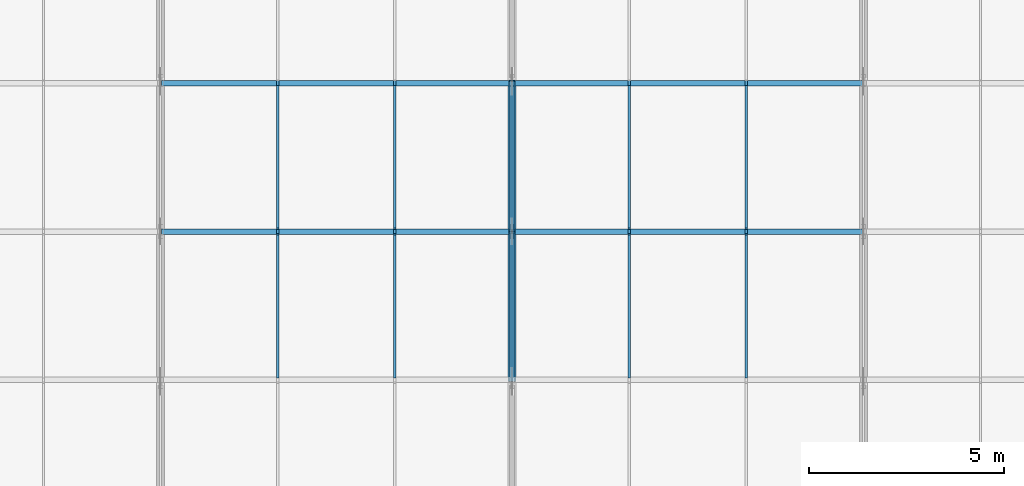
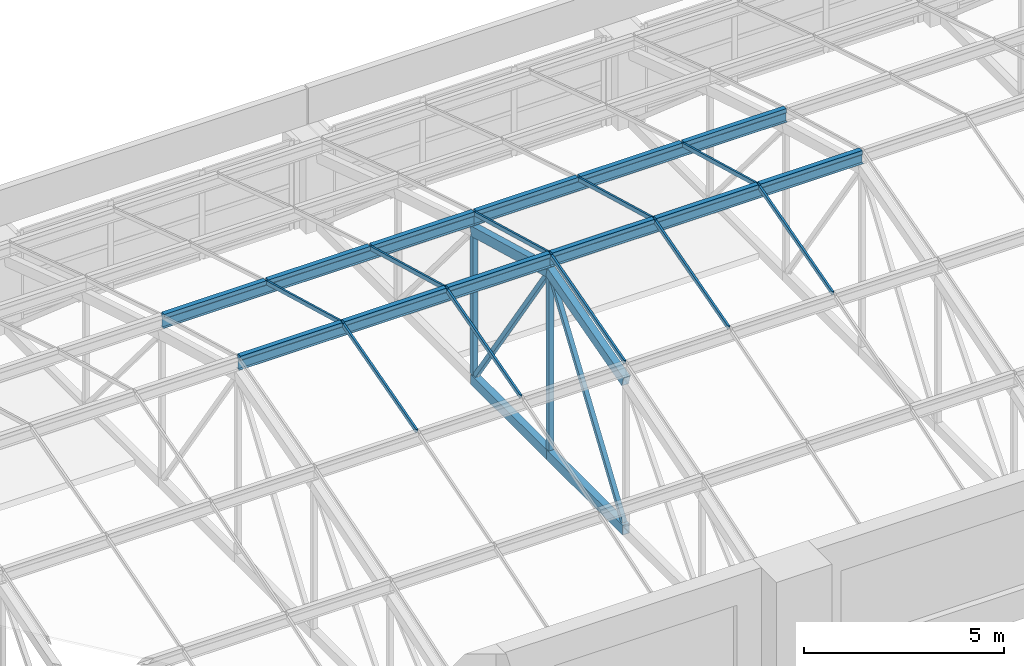
# One storey, part 13 of 82: 34 members, 1 element without a shape of its own.
"""IFC4 building model written with IfcOpenShell, lengths in metres."""

from ifc_helpers import new_model, si_unit, direction, frame, origin, origin_2d, place, context, subcontext, project, spatial, rectangle, hollow_rectangle, i_section, extrude, material, material_profile, profile_set, type_object, element, aggregate, save


model = new_model("IFC4")

# Units and contexts
model_context = context("Model", 3, precision=1e-05, world=origin(), true_north=direction((0.0, 1.0)))
body_context = subcontext(model_context, "Body", "Model", "MODEL_VIEW")
ifc_project = project(units=[si_unit("LENGTHUNIT", "METRE"), si_unit("AREAUNIT", "SQUARE_METRE"), si_unit("VOLUMEUNIT", "CUBIC_METRE"), si_unit("PLANEANGLEUNIT", "RADIAN"), si_unit("MASSUNIT", "GRAM", prefix="KILO")], contexts=[model_context])

# Site, building, storey
site_placement = place(None, origin())
site = spatial("IfcSite", under=ifc_project, at=site_placement, CompositionType="ELEMENT")
building_placement = place(site_placement, origin())
building = spatial("IfcBuilding", under=site, at=building_placement, Name="Aravalli Gate Trade Fair Centre", CompositionType="ELEMENT")
storey_placement = place(building_placement, frame((0.0, 0.0, 19.199951171875)))
storey = spatial("IfcBuildingStorey", under=building, at=storey_placement, Name="L04", CompositionType="ELEMENT", Elevation=19.199951171875)

# Members
ifc_material_1 = material(Name="Steel E350", Category="steel")
ifc_material_profile_1 = material_profile(ifc_material_1, i_section(OverallWidth=0.139892578125, OverallDepth=0.300048828125, WebThickness=0.0078125, FlangeThickness=0.01318359375, at=origin_2d()), Name="ISMB 300")
ifc_profile_set_1 = profile_set([ifc_material_profile_1], Name="Steel E350")
member_type_1 = type_object("IfcMemberType", Name="ISMB 300 roof purlin", PredefinedType="PURLIN", material=ifc_profile_set_1)
for number, where, z_axis, x_axis, name in (
    (1, (42.0, 121.10009765625, 6.030029296875), (1.0, 0.0, 0.0), (0.0, 1.0, 0.0), "Vault purlin 05-06 F3"),
    (2, (42.0, 124.89990234375, 4.999267578125), (1.0, 0.0, 0.0), (0.0, 1.0, 0.0), "Vault purlin 05-06 F4"),
    (3, (51.0, 121.10009765625, 6.030029296875), (1.0, 0.0, 0.0), (0.0, 1.0, 0.0), "Vault purlin 06-07 F3"),
    (4, (51.0, 124.89990234375, 4.999267578125), (1.0, 0.0, 0.0), (0.0, 1.0, 0.0), "Vault purlin 06-07 F4"),
):
    element("IfcMember", number, at=place(storey_placement, frame(where, z_axis=z_axis, x_axis=x_axis)), inside=storey, type_object=member_type_1, Name=name, PredefinedType="PURLIN", context=body_context, shape_type="SweptSolid", body=[
        extrude(i_section(OverallWidth=0.139892578125, OverallDepth=0.300048828125, WebThickness=0.0078125, FlangeThickness=0.01318359375, at=origin_2d()), origin(), (0.0, 0.0, 1.0), 9.0),
    ])
ifc_material_profile_2 = material_profile(ifc_material_1, hollow_rectangle(XDim=0.199951171875, YDim=0.300048828125, WallThickness=0.011962890625, at=origin_2d()), Name="RHS 300x200x12")
ifc_profile_set_2 = profile_set([ifc_material_profile_2], Name="Steel E350")
member_type_2 = type_object("IfcMemberType", Name="RHS 300x200x12 CT1 truss chord", PredefinedType="CHORD", material=ifc_profile_set_2)
member_1_placement = place(storey_placement, frame((51.0, 117.300048828125, 4.674560546875), z_axis=(0.0, 0.963894016224, 0.266286172166), x_axis=(-1.0, 0.0, 0.0)))
element("IfcMember", 5, at=member_1_placement, inside=storey, type_object=member_type_2, Name="Concourse vault truss CT1 line 06 top chord T3", PredefinedType="CHORD", context=body_context, shape_type="SweptSolid", body=[
    extrude(hollow_rectangle(XDim=0.199951171875, YDim=0.300048828125, WallThickness=0.011962890625, at=origin_2d()), origin(), (0.0, 0.0, 1.0), 3.9423828125),
])
member_2_placement = place(storey_placement, frame((51.0, 117.300048828125, 0.150146484375), z_axis=(0.0, 1.0, 0.0), x_axis=(-1.0, 0.0, 0.0)))
element("IfcMember", 6, at=member_2_placement, inside=storey, type_object=member_type_2, Name="Concourse vault truss CT1 line 06 bottom chord B3", PredefinedType="CHORD", context=body_context, shape_type="SweptSolid", body=[
    extrude(hollow_rectangle(XDim=0.199951171875, YDim=0.300048828125, WallThickness=0.011962890625, at=origin_2d()), origin(), (0.0, 0.0, 1.0), 3.800048828125),
])
member_3_placement = place(storey_placement, frame((51.0, 121.10009765625, 5.724365234375), z_axis=(0.0, 0.96388962469, -0.266302067988), x_axis=(-1.0, 0.0, 0.0)))
element("IfcMember", 7, at=member_3_placement, inside=storey, type_object=member_type_2, Name="Concourse vault truss CT1 line 06 top chord T4", PredefinedType="CHORD", context=body_context, shape_type="SweptSolid", body=[
    extrude(hollow_rectangle(XDim=0.199951171875, YDim=0.300048828125, WallThickness=0.011962890625, at=origin_2d()), origin(), (0.0, 0.0, 1.0), 3.942138671875),
])
member_4_placement = place(storey_placement, frame((51.0, 121.10009765625, 0.150146484375), z_axis=(0.0, 1.0, 0.0), x_axis=(-1.0, 0.0, 0.0)))
element("IfcMember", 8, at=member_4_placement, inside=storey, type_object=member_type_2, Name="Concourse vault truss CT1 line 06 bottom chord B4", PredefinedType="CHORD", context=body_context, shape_type="SweptSolid", body=[
    extrude(hollow_rectangle(XDim=0.199951171875, YDim=0.300048828125, WallThickness=0.011962890625, at=origin_2d()), origin(), (0.0, 0.0, 1.0), 3.7998046875),
])
ifc_material_profile_3 = material_profile(ifc_material_1, hollow_rectangle(XDim=0.125, YDim=0.125, WallThickness=0.006103515625, at=origin_2d()), Name="SHS 125x125x6")
ifc_profile_set_3 = profile_set([ifc_material_profile_3], Name="Steel E350")
member_type_3 = type_object("IfcMemberType", Name="SHS 125x125x6 CT1 truss diagonal", PredefinedType="BRACE", material=ifc_profile_set_3)
for number, where, z_axis, x_axis, name in (
    (9, (51.0, 117.40234375, 0.300048828125), (0.0, 0.5632471019, 0.826288510268), (-1.0, 0.0, 0.0), "Concourse vault truss CT1 line 06 diagonal D3"),
    (10, (51.0, 121.230712890625, 5.53271484375), (0.0, 0.5632471019, -0.826288510268), (-1.0, 0.0, 0.0), "Concourse vault truss CT1 line 06 diagonal D4"),
):
    element("IfcMember", number, at=place(storey_placement, frame(where, z_axis=z_axis, x_axis=x_axis)), inside=storey, type_object=member_type_3, Name=name, PredefinedType="BRACE", context=body_context, shape_type="SweptSolid", body=[
        extrude(hollow_rectangle(XDim=0.125, YDim=0.125, WallThickness=0.006103515625, at=origin_2d()), origin(), (0.0, 0.0, 1.0), 6.332763671875),
    ])
ifc_material_profile_4 = material_profile(ifc_material_1, hollow_rectangle(XDim=0.14990234375, YDim=0.14990234375, WallThickness=0.006103515625, at=origin_2d()), Name="SHS 150x150x6")
ifc_profile_set_4 = profile_set([ifc_material_profile_4], Name="Steel E350")
member_type_4 = type_object("IfcMemberType", Name="SHS 150x150x6 CT1 truss post", PredefinedType="POST", material=ifc_profile_set_4)
member_5_placement = place(storey_placement, frame((51.0, 121.10009765625, 0.300048828125), z_axis=(0.0, 0.0, 1.0), x_axis=(1.0, 0.0, 0.0)))
element("IfcMember", 11, at=member_5_placement, inside=storey, type_object=member_type_4, Name="Concourse vault truss CT1 line 06 post V3", PredefinedType="POST", context=body_context, shape_type="SweptSolid", body=[
    extrude(hollow_rectangle(XDim=0.14990234375, YDim=0.14990234375, WallThickness=0.006103515625, at=origin_2d()), origin(), (0.0, 0.0, 1.0), 5.268798828125),
])
member_6_placement = place(storey_placement, frame((51.0, 124.89990234375, 0.300048828125), z_axis=(0.0, 0.0, 1.0), x_axis=(1.0, 0.0, 0.0)))
element("IfcMember", 12, at=member_6_placement, inside=storey, type_object=member_type_4, Name="Concourse vault truss CT1 line 06 post V4", PredefinedType="POST", context=body_context, shape_type="SweptSolid", body=[
    extrude(hollow_rectangle(XDim=0.14990234375, YDim=0.14990234375, WallThickness=0.006103515625, at=origin_2d()), origin(), (0.0, 0.0, 1.0), 4.216552734375),
])
ifc_material_2 = material(Name="Aluminium", Category="aluminium")
ifc_material_profile_5 = material_profile(ifc_material_2, rectangle(XDim=0.139892578125, YDim=0.1201171875, at=origin_2d()), Name="Vault fold cap 140 x 120")
ifc_profile_set_5 = profile_set([ifc_material_profile_5], Name="Aluminium")
member_type_5 = type_object("IfcMemberType", Name="Vault fold cap 140 x 120", PredefinedType="USERDEFINED", material=ifc_profile_set_5)
for number, where, z_axis, x_axis, name in (
    (13, (42.030029296875, 121.10009765625, 6.239990234375), (1.0, 0.0, 0.0), (0.0, 1.0, 0.0), "Vault fold cap w10.3"),
    (14, (42.030029296875, 124.89990234375, 5.209228515625), (1.0, 0.0, 0.0), (0.0, 1.0, 0.0), "Vault fold cap w10.4"),
    (15, (45.030029296875, 121.10009765625, 6.239990234375), (1.0, 0.0, 0.0), (0.0, 1.0, 0.0), "Vault fold cap w11.3"),
    (16, (45.030029296875, 124.89990234375, 5.209228515625), (1.0, 0.0, 0.0), (0.0, 1.0, 0.0), "Vault fold cap w11.4"),
    (17, (48.030029296875, 121.10009765625, 6.239990234375), (1.0, 0.0, 0.0), (0.0, 1.0, 0.0), "Vault fold cap w12.3"),
    (18, (48.030029296875, 124.89990234375, 5.209228515625), (1.0, 0.0, 0.0), (0.0, 1.0, 0.0), "Vault fold cap w12.4"),
    (19, (51.030029296875, 121.10009765625, 6.239990234375), (1.0, 0.0, 0.0), (0.0, 1.0, 0.0), "Vault fold cap w13.3"),
    (20, (51.030029296875, 124.89990234375, 5.209228515625), (1.0, 0.0, 0.0), (0.0, 1.0, 0.0), "Vault fold cap w13.4"),
    (21, (54.030029296875, 121.10009765625, 6.239990234375), (1.0, 0.0, 0.0), (0.0, 1.0, 0.0), "Vault fold cap w14.3"),
    (22, (54.030029296875, 124.89990234375, 5.209228515625), (1.0, 0.0, 0.0), (0.0, 1.0, 0.0), "Vault fold cap w14.4"),
    (23, (57.030029296875, 121.10009765625, 6.239990234375), (1.0, 0.0, 0.0), (0.0, 1.0, 0.0), "Vault fold cap w15.3"),
    (24, (57.030029296875, 124.89990234375, 5.209228515625), (1.0, 0.0, 0.0), (0.0, 1.0, 0.0), "Vault fold cap w15.4"),
):
    element("IfcMember", number, at=place(storey_placement, frame(where, z_axis=z_axis, x_axis=x_axis)), inside=storey, type_object=member_type_5, Name=name, ObjectType="FOLD CAP", PredefinedType="USERDEFINED", context=body_context, shape_type="SweptSolid", body=[
        extrude(rectangle(XDim=0.139892578125, YDim=0.1201171875, at=origin_2d()), origin(), (0.0, 0.0, 1.0), 2.93994140625),
    ])

# Curtain wall, members
ifc_material_3 = material(Name="Aluminium and glass", Category="aluminium")
curtain_wall_type = type_object("IfcCurtainWallType", Name="Vault curtain wall, sloped glazing", PredefinedType="NOTDEFINED", material=ifc_material_3)
curtain_wall_placement = place(storey_placement, origin())
curtain_wall = element("IfcCurtainWall", 25, at=curtain_wall_placement, inside=storey, type_object=curtain_wall_type, Name="Vault curtain wall w", PredefinedType="NOTDEFINED")
ifc_material_profile_6 = material_profile(ifc_material_2, rectangle(XDim=0.06005859375, YDim=0.1201171875, at=origin_2d()), Name="Vault glazing bar 60 x 120")
ifc_profile_set_6 = profile_set([ifc_material_profile_6], Name="Aluminium")
member_type_6 = type_object("IfcMemberType", Name="Vault glazing bar 60 x 120", PredefinedType="USERDEFINED", material=ifc_profile_set_6)
member_7_placement = place(storey_placement, frame((45.0, 117.3701171875, 5.20703125), z_axis=(0.0, 0.96386804037, 0.266380180859), x_axis=(-1.0, 0.0, 0.0)))
member_7 = element("IfcMember", 26, at=member_7_placement, type_object=member_type_6, Name="Vault glazing bar w11.3", ObjectType="GLAZING BAR", PredefinedType="USERDEFINED", context=body_context, shape_type="SweptSolid", body=[
    extrude(rectangle(XDim=0.06005859375, YDim=0.1201171875, at=origin_2d()), origin(), (0.0, 0.0, 1.0), 3.797119140625),
])
member_8_placement = place(storey_placement, frame((45.0, 121.169921875, 6.218505859375), z_axis=(0.0, 0.963872602318, -0.266363673386), x_axis=(-1.0, 0.0, 0.0)))
member_8 = element("IfcMember", 27, at=member_8_placement, type_object=member_type_6, Name="Vault glazing bar w11.4", ObjectType="GLAZING BAR", PredefinedType="USERDEFINED", context=body_context, shape_type="SweptSolid", body=[
    extrude(rectangle(XDim=0.06005859375, YDim=0.1201171875, at=origin_2d()), origin(), (0.0, 0.0, 1.0), 3.79736328125),
])
member_9_placement = place(storey_placement, frame((48.0, 117.3701171875, 5.20703125), z_axis=(0.0, 0.96386804037, 0.266380180859), x_axis=(-1.0, 0.0, 0.0)))
member_9 = element("IfcMember", 28, at=member_9_placement, type_object=member_type_6, Name="Vault glazing bar w12.3", ObjectType="GLAZING BAR", PredefinedType="USERDEFINED", context=body_context, shape_type="SweptSolid", body=[
    extrude(rectangle(XDim=0.06005859375, YDim=0.1201171875, at=origin_2d()), origin(), (0.0, 0.0, 1.0), 3.797119140625),
])
member_10_placement = place(storey_placement, frame((48.0, 121.169921875, 6.218505859375), z_axis=(0.0, 0.963872602318, -0.266363673386), x_axis=(-1.0, 0.0, 0.0)))
member_10 = element("IfcMember", 29, at=member_10_placement, type_object=member_type_6, Name="Vault glazing bar w12.4", ObjectType="GLAZING BAR", PredefinedType="USERDEFINED", context=body_context, shape_type="SweptSolid", body=[
    extrude(rectangle(XDim=0.06005859375, YDim=0.1201171875, at=origin_2d()), origin(), (0.0, 0.0, 1.0), 3.79736328125),
])
member_11_placement = place(storey_placement, frame((51.0, 117.3701171875, 5.20703125), z_axis=(0.0, 0.96386804037, 0.266380180859), x_axis=(-1.0, 0.0, 0.0)))
member_11 = element("IfcMember", 30, at=member_11_placement, type_object=member_type_6, Name="Vault glazing bar w13.3", ObjectType="GLAZING BAR", PredefinedType="USERDEFINED", context=body_context, shape_type="SweptSolid", body=[
    extrude(rectangle(XDim=0.06005859375, YDim=0.1201171875, at=origin_2d()), origin(), (0.0, 0.0, 1.0), 3.797119140625),
])
member_12_placement = place(storey_placement, frame((51.0, 121.169921875, 6.218505859375), z_axis=(0.0, 0.963872602318, -0.266363673386), x_axis=(-1.0, 0.0, 0.0)))
member_12 = element("IfcMember", 31, at=member_12_placement, type_object=member_type_6, Name="Vault glazing bar w13.4", ObjectType="GLAZING BAR", PredefinedType="USERDEFINED", context=body_context, shape_type="SweptSolid", body=[
    extrude(rectangle(XDim=0.06005859375, YDim=0.1201171875, at=origin_2d()), origin(), (0.0, 0.0, 1.0), 3.79736328125),
])
member_13_placement = place(storey_placement, frame((54.0, 117.3701171875, 5.20703125), z_axis=(0.0, 0.96386804037, 0.266380180859), x_axis=(-1.0, 0.0, 0.0)))
member_13 = element("IfcMember", 32, at=member_13_placement, type_object=member_type_6, Name="Vault glazing bar w14.3", ObjectType="GLAZING BAR", PredefinedType="USERDEFINED", context=body_context, shape_type="SweptSolid", body=[
    extrude(rectangle(XDim=0.06005859375, YDim=0.1201171875, at=origin_2d()), origin(), (0.0, 0.0, 1.0), 3.797119140625),
])
member_14_placement = place(storey_placement, frame((54.0, 121.169921875, 6.218505859375), z_axis=(0.0, 0.963872602318, -0.266363673386), x_axis=(-1.0, 0.0, 0.0)))
member_14 = element("IfcMember", 33, at=member_14_placement, type_object=member_type_6, Name="Vault glazing bar w14.4", ObjectType="GLAZING BAR", PredefinedType="USERDEFINED", context=body_context, shape_type="SweptSolid", body=[
    extrude(rectangle(XDim=0.06005859375, YDim=0.1201171875, at=origin_2d()), origin(), (0.0, 0.0, 1.0), 3.79736328125),
])
member_15_placement = place(storey_placement, frame((57.0, 117.3701171875, 5.20703125), z_axis=(0.0, 0.96386804037, 0.266380180859), x_axis=(-1.0, 0.0, 0.0)))
member_15 = element("IfcMember", 34, at=member_15_placement, type_object=member_type_6, Name="Vault glazing bar w15.3", ObjectType="GLAZING BAR", PredefinedType="USERDEFINED", context=body_context, shape_type="SweptSolid", body=[
    extrude(rectangle(XDim=0.06005859375, YDim=0.1201171875, at=origin_2d()), origin(), (0.0, 0.0, 1.0), 3.797119140625),
])
member_16_placement = place(storey_placement, frame((57.0, 121.169921875, 6.218505859375), z_axis=(0.0, 0.963872602318, -0.266363673386), x_axis=(-1.0, 0.0, 0.0)))
member_16 = element("IfcMember", 35, at=member_16_placement, type_object=member_type_6, Name="Vault glazing bar w15.4", ObjectType="GLAZING BAR", PredefinedType="USERDEFINED", context=body_context, shape_type="SweptSolid", body=[
    extrude(rectangle(XDim=0.06005859375, YDim=0.1201171875, at=origin_2d()), origin(), (0.0, 0.0, 1.0), 3.79736328125),
])
aggregate(curtain_wall, [member_7, member_8, member_9, member_10, member_11, member_12, member_13, member_14, member_15, member_16])

save(model, "model.ifc")
